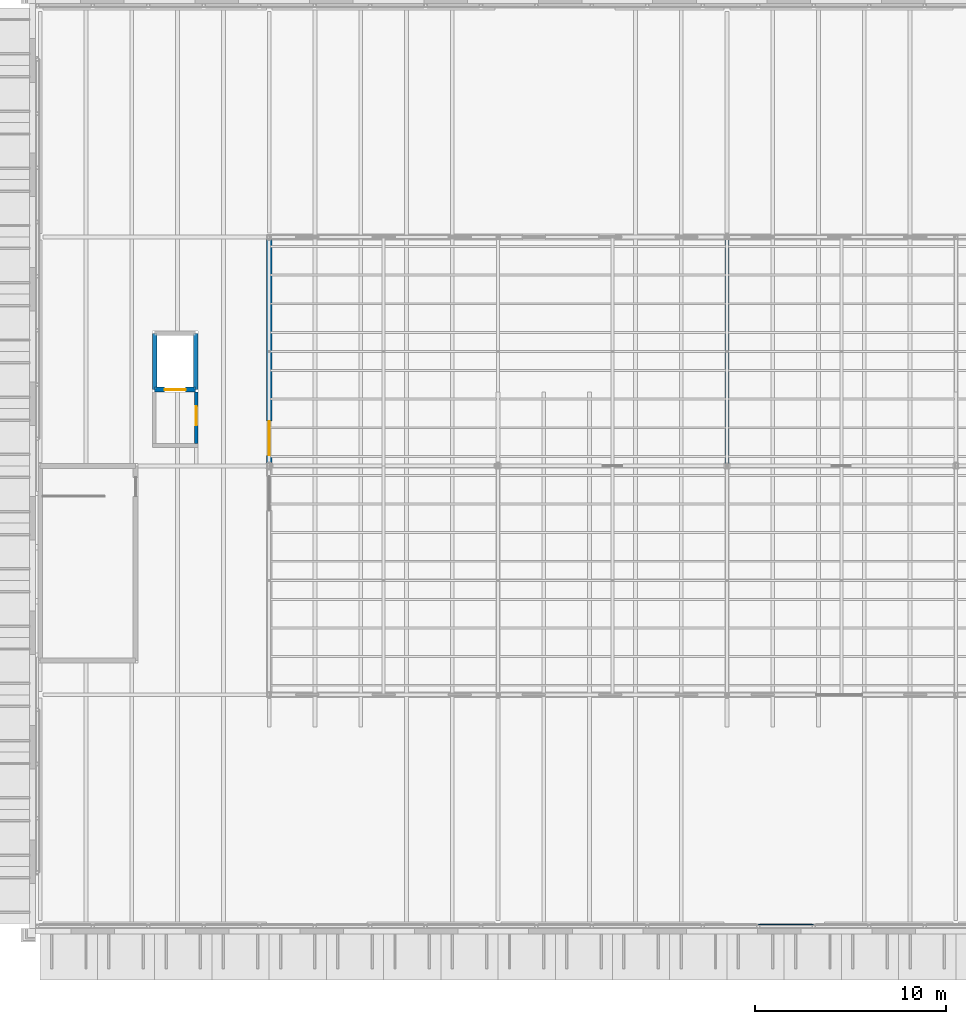
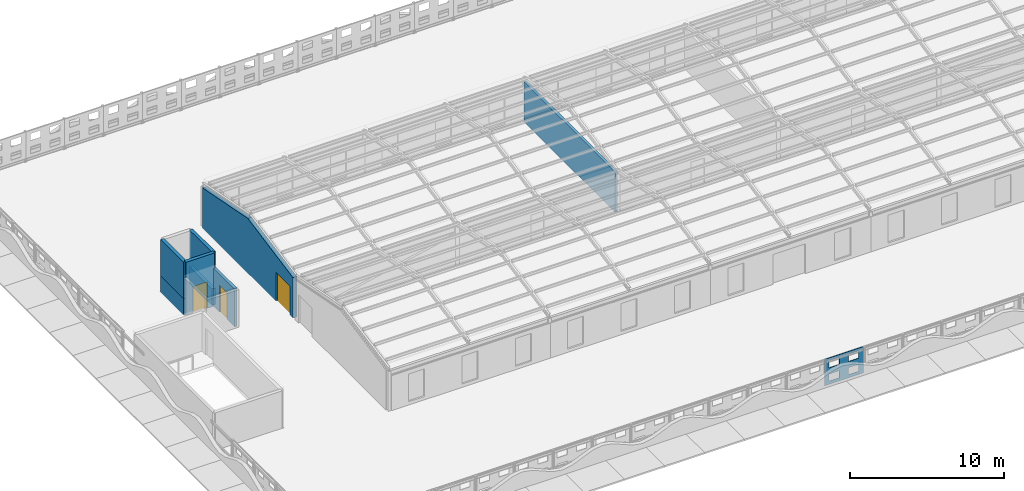
# One storey, part 57 of 91: 9 walls, 3 doors, 7 openings.
"""IFC4 building model written with IfcOpenShell, lengths in metres."""

from ifc_helpers import new_model, si_unit, direction, frame, frame_2d, origin, place, context, subcontext, project, spatial, polyline, rectangle, outline, extrude, material, layer, layer_set, type_object, element, fill, save


model = new_model("IFC4")

# Units and contexts
model_context = context("Model", 3, precision=1e-05, world=origin(), true_north=direction((0.0, 1.0)))
body_context = subcontext(model_context, "Body", "Model", "MODEL_VIEW")
ifc_project = project(units=[si_unit("LENGTHUNIT", "METRE"), si_unit("AREAUNIT", "SQUARE_METRE"), si_unit("VOLUMEUNIT", "CUBIC_METRE"), si_unit("PLANEANGLEUNIT", "RADIAN"), si_unit("MASSUNIT", "GRAM", prefix="KILO")], contexts=[model_context])

# Site, building, storey
site_placement = place(None, origin())
site = spatial("IfcSite", under=ifc_project, at=site_placement, CompositionType="ELEMENT")
building_placement = place(site_placement, origin())
building = spatial("IfcBuilding", under=site, at=building_placement, Name="Ravi Spectrum Wholesale Market", CompositionType="ELEMENT")
storey_placement = place(building_placement, frame((0.0, 0.0, 16.199951171875)))
storey = spatial("IfcBuildingStorey", under=building, at=storey_placement, Name="ROOF PLANT LEVEL", CompositionType="ELEMENT", Elevation=16.199951171875)

# Wall, opening, door
ifc_material_1 = material(Name="Concrete blockwork", Category="masonry")
ifc_layer_1 = layer(ifc_material_1, 0.199951171875)
ifc_layer_set_1 = layer_set([ifc_layer_1], Name="Concrete blockwork")
wall_type_1 = type_object("IfcWallType", Name="Blockwork partition 200 fire", PredefinedType="PARTITIONING", material=ifc_layer_set_1)
wall_1_placement = place(storey_placement, frame((206.175048828125, 43.175048828125, 0.0), z_axis=(0.0, 0.0, 1.0), x_axis=(0.0, 1.0, 0.0)))
wall_1 = element("IfcWall", 1, at=wall_1_placement, inside=storey, type_object=wall_type_1, Name="CS-WL-ROOF-111", PredefinedType="PARTITIONING", context=body_context, shape_type="SweptSolid", body=[
    extrude(rectangle(XDim=2.699951171875, YDim=0.199951171875, at=frame_2d((1.35009765625, 0.0))), origin(), (0.0, 0.0, 1.0), 3.0),
])
opening_1_placement = place(wall_1_placement, frame((1.949951171875, 0.0, 0.0), z_axis=(0.0, 0.0, 1.0), x_axis=(-1.0, 0.0, 0.0)))
opening_1 = element("IfcOpeningElement", 2, at=opening_1_placement, cuts=wall_1, Name="Opening D546", PredefinedType="OPENING", context=body_context, shape_type="SweptSolid", body=[
    extrude(rectangle(XDim=1.0, YDim=2.10009765625, at=frame_2d((0.5, 1.050048828125))), frame((0.0, 0.10986328125, 0.0), z_axis=(0.0, -1.0, 0.0), x_axis=(1.0, 0.0, 0.0)), (0.0, 0.0, 1.0), 0.219970703125),
])
ifc_material_2 = material(Name="Steel door", Category="steel")
door_type_1 = type_object("IfcDoorType", Name="Stair door 1000 x 2100", OperationType="SINGLE_SWING_LEFT", PredefinedType="DOOR", material=ifc_material_2)
door_1_placement = place(opening_1_placement, origin())
door_1 = element("IfcDoor", 3, at=door_1_placement, inside=storey, type_object=door_type_1, Name="Door to lift lobby LF-CS-1 from roof deck", OperationType="SINGLE_SWING_LEFT", OverallHeight=2.10009765625, OverallWidth=1.0, PredefinedType="DOOR", context=body_context, shape_type="SweptSolid", body=[
    extrude(rectangle(XDim=1.0, YDim=2.10009765625, at=frame_2d((0.5, 1.050048828125))), frame((0.0, 0.02490234375, 0.0), z_axis=(0.0, -1.0, 0.0), x_axis=(1.0, 0.0, 0.0)), (0.0, 0.0, 1.0), 0.050048828125),
])
fill(opening_1, door_1)

# Wall
wall_2_placement = place(storey_placement, frame((234.0, 42.10009765625, 0.0), z_axis=(0.0, 0.0, 1.0), x_axis=(0.0, 1.0, 0.0)))
element("IfcWall", 4, at=wall_2_placement, inside=storey, type_object=wall_type_1, Name="CS-WL-ROOF-127", PredefinedType="PARTITIONING", context=body_context, shape_type="SweptSolid", body=[
    extrude(rectangle(XDim=11.75, YDim=0.199951171875, at=frame_2d((5.875, 0.0))), origin(), (0.0, 0.0, 1.0), 3.172119140625),
])

# Wall, opening, door
ifc_material_3 = material(Name="Clinker brickwork", Category="masonry")
ifc_layer_2 = layer(ifc_material_3, 0.300048828125)
ifc_layer_set_2 = layer_set([ifc_layer_2], Name="Clinker brickwork")
wall_type_2 = type_object("IfcWallType", Name="Brick 300 plant house", PredefinedType="SOLIDWALL", material=ifc_layer_set_2)
wall_3_placement = place(storey_placement, frame((210.0, 42.14990234375, 0.0), z_axis=(0.0, 0.0, 1.0), x_axis=(0.0, 1.0, 0.0)))
wall_3 = element("IfcWall", 5, at=wall_3_placement, inside=storey, type_object=wall_type_2, Name="CS-WL-ROOF-123", PredefinedType="SOLIDWALL", context=body_context, shape_type="SweptSolid", body=[
    extrude(outline(polyline([(0.0, 0.0), (11.72998046875, 0.0), (11.72998046875, 3.195556640625), (5.85009765625, 4.33837890625), (0.0, 3.201416015625), (0.0, 0.0)])), frame((0.0, 0.14990234375, 0.0), z_axis=(0.0, -1.0, 0.0), x_axis=(1.0, 0.0, 0.0)), (0.0, 0.0, 1.0), 0.300048828125),
])
opening_2_placement = place(wall_3_placement, frame((0.39990234375, 0.0, 0.0)))
opening_2 = element("IfcOpeningElement", 6, at=opening_2_placement, cuts=wall_3, Name="Opening D549", PredefinedType="OPENING", context=body_context, shape_type="SweptSolid", body=[
    extrude(rectangle(XDim=1.800048828125, YDim=2.300048828125, at=frame_2d((0.89990234375, 1.14990234375))), frame((0.0, 0.159912109375, 0.0), z_axis=(0.0, -1.0, 0.0), x_axis=(1.0, 0.0, 0.0)), (0.0, 0.0, 1.0), 0.320068359375),
])
ifc_material_4 = material(Name="Aluminium glazed door", Category="aluminium")
door_type_2 = type_object("IfcDoorType", Name="Deck door 1800 x 2300", OperationType="DOUBLE_DOOR_SINGLE_SWING", PredefinedType="DOOR", material=ifc_material_4)
door_2_placement = place(opening_2_placement, origin())
door_2 = element("IfcDoor", 7, at=door_2_placement, inside=storey, type_object=door_type_2, Name="Exit door W2", OperationType="DOUBLE_DOOR_SINGLE_SWING", OverallHeight=2.300048828125, OverallWidth=1.800048828125, PredefinedType="DOOR", context=body_context, shape_type="SweptSolid", body=[
    extrude(rectangle(XDim=1.800048828125, YDim=2.300048828125, at=frame_2d((0.89990234375, 1.14990234375))), frame((0.0, 0.02490234375, 0.0), z_axis=(0.0, -1.0, 0.0), x_axis=(1.0, 0.0, 0.0)), (0.0, 0.0, 1.0), 0.050048828125),
])
fill(opening_2, door_2)

# Wall, openings
ifc_material_5 = material(Name="Aluminium perforated plate", Category="aluminium")
ifc_layer_3 = layer(ifc_material_5, 0.030029296875)
ifc_layer_set_3 = layer_set([ifc_layer_3], Name="Aluminium perforated plate")
wall_type_3 = type_object("IfcWallType", Name="Perforated screen panel 30", PredefinedType="SOLIDWALL", material=ifc_layer_set_3)
wall_4_placement = place(storey_placement, frame((235.6396484375, 17.94921875, 0.300048828125), z_axis=(0.0, 0.0, 1.0), x_axis=(1.0, 0.0, 0.0)))
wall_4 = element("IfcWall", 8, at=wall_4_placement, inside=storey, type_object=wall_type_3, Name="CS-WL-ROOF-034", PredefinedType="SOLIDWALL", context=body_context, shape_type="SweptSolid", body=[
    extrude(rectangle(XDim=2.906982421875, YDim=0.030029296875, at=frame_2d((1.45361328125, 0.0))), origin(), (0.0, 0.0, 1.0), 2.10009765625),
])
opening_3_placement = place(wall_4_placement, frame((0.35009765625, 0.0, 0.25)))
element("IfcOpeningElement", 9, at=opening_3_placement, cuts=wall_4, Name="Opening CS-OP-ROOF-053", PredefinedType="OPENING", context=body_context, shape_type="SweptSolid", body=[
    extrude(rectangle(XDim=0.75341796875, YDim=0.550048828125, at=frame_2d((0.376708984375, 0.27490234375))), frame((0.0, 0.02490234375, 0.0), z_axis=(0.0, -1.0, 0.0), x_axis=(1.0, 0.0, 0.0)), (0.0, 0.0, 1.0), 0.050048828125),
])
opening_4_placement = place(wall_4_placement, frame((0.35009765625, 0.0, 1.300048828125)))
element("IfcOpeningElement", 10, at=opening_4_placement, cuts=wall_4, Name="Opening CS-OP-ROOF-054", PredefinedType="OPENING", context=body_context, shape_type="SweptSolid", body=[
    extrude(rectangle(XDim=0.75341796875, YDim=0.550048828125, at=frame_2d((0.376708984375, 0.27490234375))), frame((0.0, 0.02490234375, 0.0), z_axis=(0.0, -1.0, 0.0), x_axis=(1.0, 0.0, 0.0)), (0.0, 0.0, 1.0), 0.050048828125),
])
opening_5_placement = place(wall_4_placement, frame((1.803466796875, 0.0, 0.25)))
element("IfcOpeningElement", 11, at=opening_5_placement, cuts=wall_4, Name="Opening CS-OP-ROOF-055", PredefinedType="OPENING", context=body_context, shape_type="SweptSolid", body=[
    extrude(rectangle(XDim=0.75341796875, YDim=0.550048828125, at=frame_2d((0.376708984375, 0.27490234375))), frame((0.0, 0.02490234375, 0.0), z_axis=(0.0, -1.0, 0.0), x_axis=(1.0, 0.0, 0.0)), (0.0, 0.0, 1.0), 0.050048828125),
])
opening_6_placement = place(wall_4_placement, frame((1.803466796875, 0.0, 1.300048828125)))
element("IfcOpeningElement", 12, at=opening_6_placement, cuts=wall_4, Name="Opening CS-OP-ROOF-056", PredefinedType="OPENING", context=body_context, shape_type="SweptSolid", body=[
    extrude(rectangle(XDim=0.75341796875, YDim=0.550048828125, at=frame_2d((0.376708984375, 0.27490234375))), frame((0.0, 0.02490234375, 0.0), z_axis=(0.0, -1.0, 0.0), x_axis=(1.0, 0.0, 0.0)), (0.0, 0.0, 1.0), 0.050048828125),
])

# Walls
ifc_material_6 = material(Name="Concrete C35/45", Category="concrete")
ifc_layer_4 = layer(ifc_material_6, 0.25)
ifc_layer_set_4 = layer_set([ifc_layer_4], Name="Concrete C35/45")
wall_type_4 = type_object("IfcWallType", Name="Shaft wall 250", PredefinedType="SHEAR", material=ifc_layer_set_4)
wall_5_placement = place(storey_placement, frame((206.14990234375, 46.0, 0.0), z_axis=(0.0, 0.0, 1.0), x_axis=(0.0, 1.0, 0.0)))
element("IfcWall", 13, at=wall_5_placement, inside=storey, type_object=wall_type_4, Name="CS-WL-ROOF PLANT LEVEL-LF-CS-1-EK", PredefinedType="SHEAR", context=body_context, shape_type="SweptSolid", body=[
    extrude(rectangle(XDim=2.949951171875, YDim=0.25, at=frame_2d((1.47509765625, 0.0))), origin(), (0.0, 0.0, 1.0), 1.300048828125),
])
wall_6_placement = place(storey_placement, frame((206.14990234375, 46.0, 1.300048828125), z_axis=(0.0, 0.0, 1.0), x_axis=(0.0, 1.0, 0.0)))
element("IfcWall", 14, at=wall_6_placement, inside=storey, type_object=wall_type_4, Name="CS-WL-ROOF PLANT LEVEL-LF-CS-1-E", PredefinedType="SHEAR", context=body_context, shape_type="SweptSolid", body=[
    extrude(rectangle(XDim=2.949951171875, YDim=0.25, at=frame_2d((1.47509765625, 0.0))), origin(), (0.0, 0.0, 1.0), 2.89990234375),
])

# Wall, opening, door
wall_7_placement = place(storey_placement, frame((204.0, 46.0, 0.0), z_axis=(0.0, 0.0, 1.0), x_axis=(1.0, 0.0, 0.0)))
wall_7 = element("IfcWall", 15, at=wall_7_placement, inside=storey, type_object=wall_type_4, Name="CS-WL-ROOF PLANT LEVEL-LF-CS-1-S", PredefinedType="SHEAR", context=body_context, shape_type="SweptSolid", body=[
    extrude(rectangle(XDim=2.14990234375, YDim=0.25, at=frame_2d((1.074951171875, 0.0))), origin(), (0.0, 0.0, 1.0), 4.199951171875),
])
opening_7_placement = place(wall_7_placement, frame((0.52490234375, 0.0, 0.0)))
opening_7 = element("IfcOpeningElement", 16, at=opening_7_placement, cuts=wall_7, Name="Opening D545", PredefinedType="OPENING", context=body_context, shape_type="SweptSolid", body=[
    extrude(rectangle(XDim=1.10009765625, YDim=2.10009765625, at=frame_2d((0.550048828125, 1.050048828125))), frame((0.0, 0.135009765625, 0.0), z_axis=(0.0, -1.0, 0.0), x_axis=(1.0, 0.0, 0.0)), (0.0, 0.0, 1.0), 0.27001953125),
])
ifc_material_7 = material(Name="Stainless steel door", Category="steel")
door_type_3 = type_object("IfcDoorType", Name="Lift landing door 1100 x 2100", OperationType="SLIDING_TO_LEFT", PredefinedType="DOOR", material=ifc_material_7)
door_3_placement = place(opening_7_placement, origin())
door_3 = element("IfcDoor", 17, at=door_3_placement, inside=storey, type_object=door_type_3, Name="Landing door LF-CS-1 ROOF PLANT LEVEL", OperationType="SLIDING_TO_LEFT", OverallHeight=2.10009765625, OverallWidth=1.10009765625, PredefinedType="DOOR", context=body_context, shape_type="SweptSolid", body=[
    extrude(rectangle(XDim=1.10009765625, YDim=2.10009765625, at=frame_2d((0.550048828125, 1.050048828125))), frame((0.0, 0.02490234375, 0.0), z_axis=(0.0, -1.0, 0.0), x_axis=(1.0, 0.0, 0.0)), (0.0, 0.0, 1.0), 0.050048828125),
])
fill(opening_7, door_3)

# Walls
wall_8_placement = place(storey_placement, frame((204.0, 48.949951171875, 0.0), z_axis=(0.0, 0.0, 1.0), x_axis=(0.0, -1.0, 0.0)))
element("IfcWall", 18, at=wall_8_placement, inside=storey, type_object=wall_type_4, Name="CS-WL-ROOF PLANT LEVEL-LF-CS-1-WK", PredefinedType="SHEAR", context=body_context, shape_type="SweptSolid", body=[
    extrude(rectangle(XDim=2.949951171875, YDim=0.25, at=frame_2d((1.47509765625, 0.0))), origin(), (0.0, 0.0, 1.0), 1.300048828125),
])
wall_9_placement = place(storey_placement, frame((204.0, 48.949951171875, 1.300048828125), z_axis=(0.0, 0.0, 1.0), x_axis=(0.0, -1.0, 0.0)))
element("IfcWall", 19, at=wall_9_placement, inside=storey, type_object=wall_type_4, Name="CS-WL-ROOF PLANT LEVEL-LF-CS-1-W", PredefinedType="SHEAR", context=body_context, shape_type="SweptSolid", body=[
    extrude(rectangle(XDim=2.949951171875, YDim=0.25, at=frame_2d((1.47509765625, 0.0))), origin(), (0.0, 0.0, 1.0), 2.89990234375),
])

save(model, "model.ifc")
